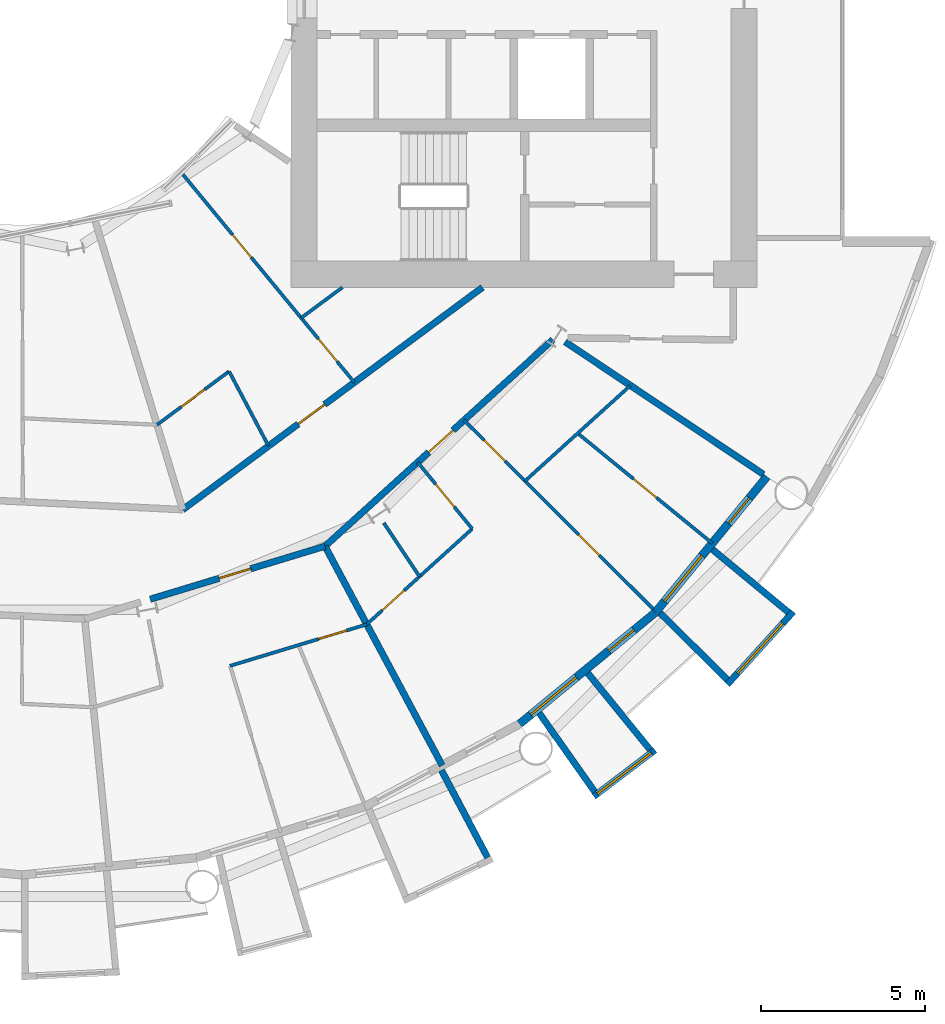
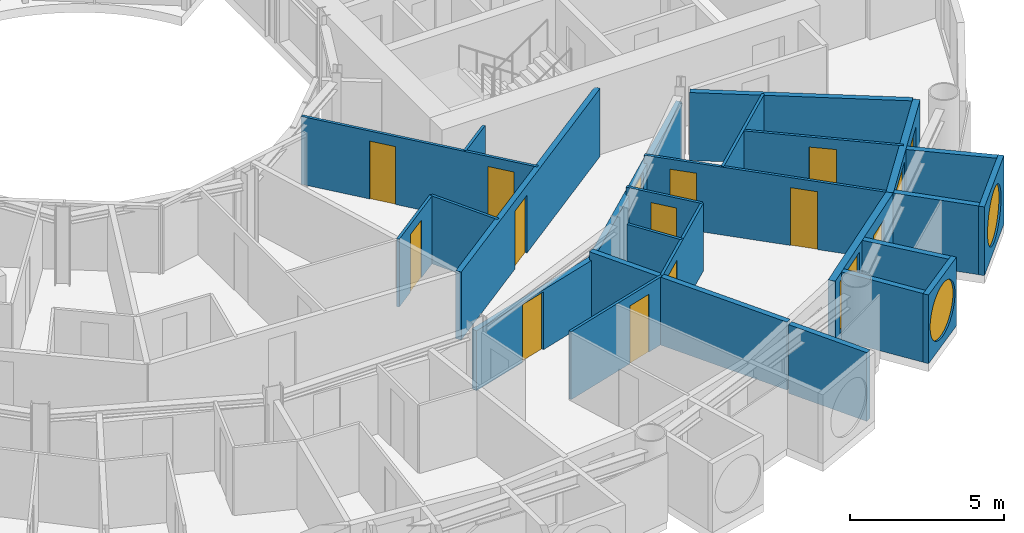
# One storey, part 16 of 25: 25 walls, 14 doors, 4 windows, 18 openings.
"""IFC4 building model written with IfcOpenShell, lengths in metres."""

from ifc_helpers import new_model, si_unit, direction, frame, frame_2d, origin, place, context, subcontext, project, spatial, rectangle, circle, extrude, material, layer, layer_set, type_object, element, fill, save


model = new_model("IFC4")

# Units and contexts
model_context = context("Model", 3, precision=1e-05, world=origin(), true_north=direction((0.0, 1.0)))
body_context = subcontext(model_context, "Body", "Model", "MODEL_VIEW")
ifc_project = project(units=[si_unit("LENGTHUNIT", "METRE"), si_unit("AREAUNIT", "SQUARE_METRE"), si_unit("VOLUMEUNIT", "CUBIC_METRE"), si_unit("PLANEANGLEUNIT", "RADIAN"), si_unit("MASSUNIT", "GRAM", prefix="KILO")], contexts=[model_context])

# Site, building, storey
site_placement = place(None, origin())
site = spatial("IfcSite", under=ifc_project, at=site_placement, CompositionType="ELEMENT")
building_placement = place(site_placement, origin())
building = spatial("IfcBuilding", under=site, at=building_placement, Name="Maasbend Ring Residences", CompositionType="ELEMENT")
storey_placement = place(building_placement, frame((0.0, 0.0, 41.10009765625)))
storey = spatial("IfcBuildingStorey", under=building, at=storey_placement, Name="L11", CompositionType="ELEMENT", Elevation=41.10009765625)

# Wall, opening, door
ifc_material_1 = material(Name="Concrete C30/37", Category="concrete")
ifc_layer_1 = layer(ifc_material_1, 0.199951171875)
ifc_layer_set_1 = layer_set([ifc_layer_1], Name="Concrete C30/37")
wall_type_1 = type_object("IfcWallType", Name="CORRIDOR WALL 200 CONCRETE", PredefinedType="PARTITIONING", material=ifc_layer_set_1)
wall_1_placement = place(storey_placement, frame((3.9150390625, -18.90087890625, 0.0), z_axis=(0.0, 0.0, 1.0), x_axis=(0.956941324682, 0.290281417103, 0.0)))
wall_1 = element("IfcWall", 1, at=wall_1_placement, inside=storey, type_object=wall_type_1, Name="U-L11-w016", PredefinedType="PARTITIONING", context=body_context, shape_type="SweptSolid", body=[
    extrude(rectangle(XDim=5.5634765625, YDim=0.199951171875, at=frame_2d((2.78173828125, 0.0))), origin(), (0.0, 0.0, 1.0), 2.3798828125),
])
opening_1_placement = place(wall_1_placement, frame((2.196044921875, 0.0, 0.0)))
opening_1 = element("IfcOpeningElement", 2, at=opening_1_placement, cuts=wall_1, Name="Opening D-1147", PredefinedType="OPENING", context=body_context, shape_type="SweptSolid", body=[
    extrude(rectangle(XDim=1.0, YDim=2.300048828125, at=frame_2d((0.5, 1.14990234375))), frame((0.0, 0.10986328125, 0.0), z_axis=(0.0, -1.0, 0.0), x_axis=(1.0, 0.0, 0.0)), (0.0, 0.0, 1.0), 0.219970703125),
])
ifc_material_2 = material(Name="Timber, fire-rated, painted", Category="wood")
door_type_1 = type_object("IfcDoorType", Name="FLAT ENTRANCE DOOR 1000 X 2300 FIRE-RATED", OperationType="NOTDEFINED", PredefinedType="DOOR", material=ifc_material_2)
door_1_placement = place(opening_1_placement, origin())
door_1 = element("IfcDoor", 3, at=door_1_placement, inside=storey, type_object=door_type_1, Name="D-1147", OperationType="SINGLE_SWING_LEFT", OverallHeight=2.300048828125, OverallWidth=1.0, PredefinedType="DOOR", context=body_context, shape_type="SweptSolid", body=[
    extrude(rectangle(XDim=1.0, YDim=2.300048828125, at=frame_2d((0.5, 1.14990234375))), frame((0.0, 0.02490234375, 0.0), z_axis=(0.0, -1.0, 0.0), x_axis=(1.0, 0.0, 0.0)), (0.0, 0.0, 1.0), 0.050048828125),
])
fill(opening_1, door_1)

wall_2_placement = place(storey_placement, frame((9.239013671875, -17.287109375, 0.0), z_axis=(0.0, 0.0, 1.0), x_axis=(0.74089212117, 0.671624050186, 0.0)))
wall_2 = element("IfcWall", 4, at=wall_2_placement, inside=storey, type_object=wall_type_1, Name="U-L11-w018", PredefinedType="PARTITIONING", context=body_context, shape_type="SweptSolid", body=[
    extrude(rectangle(XDim=9.368408203125, YDim=0.199951171875, at=frame_2d((4.68408203125, 0.0))), origin(), (0.0, 0.0, 1.0), 2.3798828125),
])
opening_2_placement = place(wall_2_placement, frame((4.262939453125, 0.0, 0.0)))
opening_2 = element("IfcOpeningElement", 5, at=opening_2_placement, cuts=wall_2, Name="Opening D-1151", PredefinedType="OPENING", context=body_context, shape_type="SweptSolid", body=[
    extrude(rectangle(XDim=1.0, YDim=2.300048828125, at=frame_2d((0.5, 1.14990234375))), frame((0.0, 0.10986328125, 0.0), z_axis=(0.0, -1.0, 0.0), x_axis=(1.0, 0.0, 0.0)), (0.0, 0.0, 1.0), 0.219970703125),
])
door_2_placement = place(opening_2_placement, origin())
door_2 = element("IfcDoor", 6, at=door_2_placement, inside=storey, type_object=door_type_1, Name="D-1151", OperationType="SINGLE_SWING_RIGHT", OverallHeight=2.300048828125, OverallWidth=1.0, PredefinedType="DOOR", context=body_context, shape_type="SweptSolid", body=[
    extrude(rectangle(XDim=1.0, YDim=2.300048828125, at=frame_2d((0.5, 1.14990234375))), frame((0.0, 0.02490234375, 0.0), z_axis=(0.0, -1.0, 0.0), x_axis=(1.0, 0.0, 0.0)), (0.0, 0.0, 1.0), 0.050048828125),
])
fill(opening_2, door_2)

wall_3_placement = place(storey_placement, frame((4.906005859375, -16.172119140625, 0.0), z_axis=(0.0, 0.0, 1.0), x_axis=(0.803202106898, 0.595706618626, 0.0)))
wall_3 = element("IfcWall", 7, at=wall_3_placement, inside=storey, type_object=wall_type_1, Name="U-L11-w021", PredefinedType="PARTITIONING", context=body_context, shape_type="SweptSolid", body=[
    extrude(rectangle(XDim=11.368408203125, YDim=0.199951171875, at=frame_2d((5.68408203125, 0.0))), origin(), (0.0, 0.0, 1.0), 2.699951171875),
])
opening_3_placement = place(wall_3_placement, frame((4.3798828125, 0.0, 0.0)))
opening_3 = element("IfcOpeningElement", 8, at=opening_3_placement, cuts=wall_3, Name="Opening D-1165", PredefinedType="OPENING", context=body_context, shape_type="SweptSolid", body=[
    extrude(rectangle(XDim=1.0, YDim=2.300048828125, at=frame_2d((0.5, 1.14990234375))), frame((0.0, 0.10986328125, 0.0), z_axis=(0.0, -1.0, 0.0), x_axis=(1.0, 0.0, 0.0)), (0.0, 0.0, 1.0), 0.219970703125),
])
door_3_placement = place(opening_3_placement, origin())
door_3 = element("IfcDoor", 9, at=door_3_placement, inside=storey, type_object=door_type_1, Name="D-1165", OperationType="SINGLE_SWING_LEFT", OverallHeight=2.300048828125, OverallWidth=1.0, PredefinedType="DOOR", context=body_context, shape_type="SweptSolid", body=[
    extrude(rectangle(XDim=1.0, YDim=2.300048828125, at=frame_2d((0.5, 1.14990234375))), frame((0.0, 0.02490234375, 0.0), z_axis=(0.0, -1.0, 0.0), x_axis=(1.0, 0.0, 0.0)), (0.0, 0.0, 1.0), 0.050048828125),
])
fill(opening_3, door_3)

# Wall
ifc_material_3 = material(Name="Pale anodised aluminium panel", Category="aluminium")
ifc_layer_2 = layer(ifc_material_3, 0.199951171875)
ifc_layer_set_2 = layer_set([ifc_layer_2], Name="EW-BOX")
wall_type_2 = type_object("IfcWallType", Name="EW-BOX", PredefinedType="SOLIDWALL", material=ifc_layer_set_2)
wall_4_placement = place(storey_placement, frame((12.787109375, -24.113037109375, -0.030029296875), z_axis=(0.0, 0.0, 1.0), x_axis=(0.468365282436, -0.883534924159, 0.0)))
element("IfcWall", 10, at=wall_4_placement, inside=storey, type_object=wall_type_2, Name="Box side wall S15 right", PredefinedType="SOLIDWALL", context=body_context, shape_type="SweptSolid", body=[
    extrude(rectangle(XDim=3.006103515625, YDim=0.199951171875, at=frame_2d((1.5029296875, 0.0))), origin(), (0.0, 0.0, 1.0), 2.72998046875),
])

# Wall, opening, window
wall_5_placement = place(storey_placement, frame((17.427001953125, -24.908935546875, -0.030029296875), z_axis=(0.0, 0.0, 1.0), x_axis=(0.796842165306, 0.60418752353, 0.0)))
wall_5 = element("IfcWall", 11, at=wall_5_placement, inside=storey, type_object=wall_type_2, Name="Box front S17", PredefinedType="SOLIDWALL", context=body_context, shape_type="SweptSolid", body=[
    extrude(rectangle(XDim=2.3369140625, YDim=0.199951171875, at=frame_2d((1.16845703125, 0.0))), origin(), (0.0, 0.0, 1.0), 2.72998046875),
])
opening_4_placement = place(wall_5_placement, frame((0.128173828125, 0.0, 0.330078125)))
opening_4 = element("IfcOpeningElement", 12, at=opening_4_placement, cuts=wall_5, Name="Opening W-RD", PredefinedType="OPENING", context=body_context, shape_type="SweptSolid", body=[
    extrude(circle(Radius=1.0400390625, at=frame_2d((1.0400390625, 1.0400390625))), frame((0.0, 0.10986328125, 0.0), z_axis=(0.0, -1.0, 0.0), x_axis=(1.0, 0.0, 0.0)), (0.0, 0.0, 1.0), 0.219970703125),
])
ifc_material_4 = material(Name="Aluminium and clear glass", Category="aluminium")
window_type_1 = type_object("IfcWindowType", Name="W-RD", PartitioningType="SINGLE_PANEL", PredefinedType="WINDOW", material=ifc_material_4)
window_1_placement = place(opening_4_placement, origin())
window_1 = element("IfcWindow", 13, at=window_1_placement, inside=storey, type_object=window_type_1, Name="Round window S17", OverallHeight=2.080078125, OverallWidth=2.080078125, PartitioningType="SINGLE_PANEL", PredefinedType="WINDOW", context=body_context, shape_type="SweptSolid", body=[
    extrude(circle(Radius=1.0400390625, at=frame_2d((1.0400390625, 1.0400390625))), frame((0.0, 0.030029296875, 0.0), z_axis=(0.0, -1.0, 0.0), x_axis=(1.0, 0.0, 0.0)), (0.0, 0.0, 1.0), 0.06005859375),
])
fill(opening_4, window_1)

# Walls
wall_6_placement = place(storey_placement, frame((15.764892578125, -22.3701171875, -0.030029296875), z_axis=(0.0, 0.0, 1.0), x_axis=(0.576274612209, -0.817256123454, 0.0)))
element("IfcWall", 14, at=wall_6_placement, inside=storey, type_object=wall_type_2, Name="Box side wall S17 left", PredefinedType="SOLIDWALL", context=body_context, shape_type="SweptSolid", body=[
    extrude(rectangle(XDim=2.932861328125, YDim=0.199951171875, at=frame_2d((1.46630859375, 0.0))), origin(), (0.0, 0.0, 1.0), 2.72998046875),
])
wall_7_placement = place(storey_placement, frame((17.24609375, -21.155029296875, -0.030029296875), z_axis=(0.0, 0.0, 1.0), x_axis=(0.631741648902, -0.775179004516, 0.0)))
element("IfcWall", 15, at=wall_7_placement, inside=storey, type_object=wall_type_2, Name="Box side wall S17 right", PredefinedType="SOLIDWALL", context=body_context, shape_type="SweptSolid", body=[
    extrude(rectangle(XDim=3.005859375, YDim=0.199951171875, at=frame_2d((1.5029296875, 0.0))), origin(), (0.0, 0.0, 1.0), 2.72998046875),
])

# Wall, opening, window
wall_8_placement = place(storey_placement, frame((21.492919921875, -21.5, -0.030029296875), z_axis=(0.0, 0.0, 1.0), x_axis=(0.671506829416, 0.740998365753, 0.0)))
wall_8 = element("IfcWall", 16, at=wall_8_placement, inside=storey, type_object=wall_type_2, Name="Box front S19", PredefinedType="SOLIDWALL", context=body_context, shape_type="SweptSolid", body=[
    extrude(rectangle(XDim=2.9931640625, YDim=0.199951171875, at=frame_2d((1.49658203125, 0.0))), origin(), (0.0, 0.0, 1.0), 2.72998046875),
])
opening_5_placement = place(wall_8_placement, frame((0.45654296875, 0.0, 0.330078125)))
opening_5 = element("IfcOpeningElement", 17, at=opening_5_placement, cuts=wall_8, Name="Opening W-RD", PredefinedType="OPENING", context=body_context, shape_type="SweptSolid", body=[
    extrude(circle(Radius=1.0400390625, at=frame_2d((1.0400390625, 1.0400390625))), frame((0.0, 0.10986328125, 0.0), z_axis=(0.0, -1.0, 0.0), x_axis=(1.0, 0.0, 0.0)), (0.0, 0.0, 1.0), 0.219970703125),
])
window_2_placement = place(opening_5_placement, origin())
window_2 = element("IfcWindow", 18, at=window_2_placement, inside=storey, type_object=window_type_1, Name="Round window S19", OverallHeight=2.080078125, OverallWidth=2.080078125, PartitioningType="SINGLE_PANEL", PredefinedType="WINDOW", context=body_context, shape_type="SweptSolid", body=[
    extrude(circle(Radius=1.0400390625, at=frame_2d((1.0400390625, 1.0400390625))), frame((0.0, 0.030029296875, 0.0), z_axis=(0.0, -1.0, 0.0), x_axis=(1.0, 0.0, 0.0)), (0.0, 0.0, 1.0), 0.06005859375),
])
fill(opening_5, window_2)

# Walls
wall_9_placement = place(storey_placement, frame((19.449951171875, -19.322998046875, -0.030029296875), z_axis=(0.0, 0.0, 1.0), x_axis=(0.709727076896, -0.704476739375, 0.0)))
element("IfcWall", 19, at=wall_9_placement, inside=storey, type_object=wall_type_2, Name="Box side wall S19 left", PredefinedType="SOLIDWALL", context=body_context, shape_type="SweptSolid", body=[
    extrude(rectangle(XDim=2.883056640625, YDim=0.199951171875, at=frame_2d((1.44140625, 0.0))), origin(), (0.0, 0.0, 1.0), 2.72998046875),
])
wall_10_placement = place(storey_placement, frame((21.041015625, -17.384033203125, -0.030029296875), z_axis=(0.0, 0.0, 1.0), x_axis=(0.770784861449, -0.63709551667, 0.0)))
element("IfcWall", 20, at=wall_10_placement, inside=storey, type_object=wall_type_2, Name="Box side wall S19 right", PredefinedType="SOLIDWALL", context=body_context, shape_type="SweptSolid", body=[
    extrude(rectangle(XDim=3.005859375, YDim=0.199951171875, at=frame_2d((1.5029296875, 0.0))), origin(), (0.0, 0.0, 1.0), 2.72998046875),
])

# Wall, openings, door, window
ifc_material_5 = material(Name="Aluminium clad insulated panel", Category="aluminium")
ifc_layer_3 = layer(ifc_material_5, 0.25)
ifc_layer_set_3 = layer_set([ifc_layer_3], Name="EW-GL")
wall_type_3 = type_object("IfcWallType", Name="EW-GL", PredefinedType="SOLIDWALL", material=ifc_layer_set_3)
wall_11_placement = place(storey_placement, frame((15.1669921875, -22.698974609375, 0.0), z_axis=(0.0, 0.0, 1.0), x_axis=(0.773019449054, 0.634382322723, 0.0)))
wall_11 = element("IfcWall", 21, at=wall_11_placement, inside=storey, type_object=wall_type_3, Name="External wall S09", PredefinedType="SOLIDWALL", context=body_context, shape_type="SweptSolid", body=[
    extrude(rectangle(XDim=5.351806640625, YDim=0.25, at=frame_2d((2.67578125, 0.0))), origin(), (0.0, 0.0, 1.0), 2.699951171875),
])
opening_6_placement = place(wall_11_placement, frame((0.441162109375, 0.0, 0.300048828125)))
opening_6 = element("IfcOpeningElement", 22, at=opening_6_placement, cuts=wall_11, Name="Opening W-BX", PredefinedType="OPENING", context=body_context, shape_type="SweptSolid", body=[
    extrude(rectangle(XDim=1.800048828125, YDim=2.10009765625, at=frame_2d((0.89990234375, 1.050048828125))), frame((0.0, 0.135009765625, 0.0), z_axis=(0.0, -1.0, 0.0), x_axis=(1.0, 0.0, 0.0)), (0.0, 0.0, 1.0), 0.27001953125),
])
opening_7_placement = place(wall_11_placement, frame((3.510498046875, 0.0, 0.0)))
opening_7 = element("IfcOpeningElement", 23, at=opening_7_placement, cuts=wall_11, Name="Opening D-LG", PredefinedType="OPENING", context=body_context, shape_type="SweptSolid", body=[
    extrude(rectangle(XDim=1.0, YDim=2.199951171875, at=frame_2d((0.5, 1.10009765625))), frame((0.0, 0.135009765625, 0.0), z_axis=(0.0, -1.0, 0.0), x_axis=(1.0, 0.0, 0.0)), (0.0, 0.0, 1.0), 0.27001953125),
])
ifc_material_6 = material(Name="Aluminium and clear glass", Category="aluminium")
door_type_2 = type_object("IfcDoorType", Name="D-LG", OperationType="SINGLE_SWING_LEFT", PredefinedType="DOOR", material=ifc_material_6)
door_4_placement = place(opening_7_placement, origin())
door_4 = element("IfcDoor", 24, at=door_4_placement, inside=storey, type_object=door_type_2, Name="Loggia door S18", OperationType="SINGLE_SWING_LEFT", OverallHeight=2.199951171875, OverallWidth=1.0, PredefinedType="DOOR", context=body_context, shape_type="SweptSolid", body=[
    extrude(rectangle(XDim=1.0, YDim=2.199951171875, at=frame_2d((0.5, 1.10009765625))), frame((0.0, 0.02490234375, 0.0), z_axis=(0.0, -1.0, 0.0), x_axis=(1.0, 0.0, 0.0)), (0.0, 0.0, 1.0), 0.050048828125),
])
fill(opening_7, door_4)
ifc_material_7 = material(Name="Aluminium and clear glass", Category="aluminium")
window_type_2 = type_object("IfcWindowType", Name="W-BX", PartitioningType="DOUBLE_PANEL_VERTICAL", PredefinedType="WINDOW", material=ifc_material_7)
window_3_placement = place(opening_6_placement, origin())
window_3 = element("IfcWindow", 25, at=window_3_placement, inside=storey, type_object=window_type_2, Name="Window S17 room to box", OverallHeight=2.10009765625, OverallWidth=1.800048828125, PartitioningType="SINGLE_PANEL", PredefinedType="WINDOW", context=body_context, shape_type="SweptSolid", body=[
    extrude(rectangle(XDim=1.800048828125, YDim=2.10009765625, at=frame_2d((0.89990234375, 1.050048828125))), frame((0.0, 0.030029296875, 0.0), z_axis=(0.0, -1.0, 0.0), x_axis=(1.0, 0.0, 0.0)), (0.0, 0.0, 1.0), 0.06005859375),
])
fill(opening_6, window_3)

wall_12_placement = place(storey_placement, frame((19.303955078125, -19.303955078125, 0.0), z_axis=(0.0, 0.0, 1.0), x_axis=(0.634382322723, 0.773019449054, 0.0)))
wall_12 = element("IfcWall", 26, at=wall_12_placement, inside=storey, type_object=wall_type_3, Name="External wall S10", PredefinedType="SOLIDWALL", context=body_context, shape_type="SweptSolid", body=[
    extrude(rectangle(XDim=5.351806640625, YDim=0.25, at=frame_2d((2.67578125, 0.0))), origin(), (0.0, 0.0, 1.0), 2.699951171875),
])
opening_8_placement = place(wall_12_placement, frame((0.441162109375, 0.0, 0.300048828125)))
opening_8 = element("IfcOpeningElement", 27, at=opening_8_placement, cuts=wall_12, Name="Opening W-BX", PredefinedType="OPENING", context=body_context, shape_type="SweptSolid", body=[
    extrude(rectangle(XDim=1.800048828125, YDim=2.10009765625, at=frame_2d((0.89990234375, 1.050048828125))), frame((0.0, 0.135009765625, 0.0), z_axis=(0.0, -1.0, 0.0), x_axis=(1.0, 0.0, 0.0)), (0.0, 0.0, 1.0), 0.27001953125),
])
opening_9_placement = place(wall_12_placement, frame((3.510498046875, 0.0, 0.0)))
opening_9 = element("IfcOpeningElement", 28, at=opening_9_placement, cuts=wall_12, Name="Opening D-LG", PredefinedType="OPENING", context=body_context, shape_type="SweptSolid", body=[
    extrude(rectangle(XDim=1.0, YDim=2.199951171875, at=frame_2d((0.5, 1.10009765625))), frame((0.0, 0.135009765625, 0.0), z_axis=(0.0, -1.0, 0.0), x_axis=(1.0, 0.0, 0.0)), (0.0, 0.0, 1.0), 0.27001953125),
])
door_5_placement = place(opening_9_placement, origin())
door_5 = element("IfcDoor", 29, at=door_5_placement, inside=storey, type_object=door_type_2, Name="Loggia door S20", OperationType="SINGLE_SWING_LEFT", OverallHeight=2.199951171875, OverallWidth=1.0, PredefinedType="DOOR", context=body_context, shape_type="SweptSolid", body=[
    extrude(rectangle(XDim=1.0, YDim=2.199951171875, at=frame_2d((0.5, 1.10009765625))), frame((0.0, 0.02490234375, 0.0), z_axis=(0.0, -1.0, 0.0), x_axis=(1.0, 0.0, 0.0)), (0.0, 0.0, 1.0), 0.050048828125),
])
fill(opening_9, door_5)
window_4_placement = place(opening_8_placement, origin())
window_4 = element("IfcWindow", 30, at=window_4_placement, inside=storey, type_object=window_type_2, Name="Window S19 room to box", OverallHeight=2.10009765625, OverallWidth=1.800048828125, PartitioningType="SINGLE_PANEL", PredefinedType="WINDOW", context=body_context, shape_type="SweptSolid", body=[
    extrude(rectangle(XDim=1.800048828125, YDim=2.10009765625, at=frame_2d((0.89990234375, 1.050048828125))), frame((0.0, 0.030029296875, 0.0), z_axis=(0.0, -1.0, 0.0), x_axis=(1.0, 0.0, 0.0)), (0.0, 0.0, 1.0), 0.06005859375),
])
fill(opening_8, window_4)

# Wall, opening, door
ifc_material_8 = material(Name="Gypsum board on steel studs", Category="steel")
ifc_layer_4 = layer(ifc_material_8, 0.10009765625)
ifc_layer_set_4 = layer_set([ifc_layer_4], Name="PARTITION 100 GYPSUM")
wall_type_4 = type_object("IfcWallType", Name="PARTITION 100 GYPSUM", PredefinedType="PARTITIONING", material=ifc_layer_set_4)
wall_13_placement = place(storey_placement, frame((6.345947265625, -20.930908203125, 0.0), z_axis=(0.0, 0.0, 1.0), x_axis=(0.956923957423, 0.290338663821, 0.0)))
wall_13 = element("IfcWall", 31, at=wall_13_placement, inside=storey, type_object=wall_type_4, Name="U-L11-w006", PredefinedType="PARTITIONING", context=body_context, shape_type="SweptSolid", body=[
    extrude(rectangle(XDim=4.356689453125, YDim=0.10009765625, at=frame_2d((2.17822265625, 0.0))), origin(), (0.0, 0.0, 1.0), 2.699951171875),
])
opening_10_placement = place(wall_13_placement, frame((2.818115234375, 0.0, 0.0)))
opening_10 = element("IfcOpeningElement", 32, at=opening_10_placement, cuts=wall_13, Name="Opening D-1150", PredefinedType="OPENING", context=body_context, shape_type="SweptSolid", body=[
    extrude(rectangle(XDim=0.89990234375, YDim=2.300048828125, at=frame_2d((0.449951171875, 1.14990234375))), frame((0.0, 0.06005859375, 0.0), z_axis=(0.0, -1.0, 0.0), x_axis=(1.0, 0.0, 0.0)), (0.0, 0.0, 1.0), 0.1201171875),
])
ifc_material_9 = material(Name="Timber, painted", Category="wood")
door_type_3 = type_object("IfcDoorType", Name="INTERNAL DOOR 900 X 2300", OperationType="NOTDEFINED", PredefinedType="DOOR", material=ifc_material_9)
door_6_placement = place(opening_10_placement, origin())
door_6 = element("IfcDoor", 33, at=door_6_placement, inside=storey, type_object=door_type_3, Name="D-1150", OperationType="SINGLE_SWING_RIGHT", OverallHeight=2.300048828125, OverallWidth=0.89990234375, PredefinedType="DOOR", context=body_context, shape_type="SweptSolid", body=[
    extrude(rectangle(XDim=0.89990234375, YDim=2.300048828125, at=frame_2d((0.449951171875, 1.14990234375))), frame((0.0, 0.02490234375, 0.0), z_axis=(0.0, -1.0, 0.0), x_axis=(1.0, 0.0, 0.0)), (0.0, 0.0, 1.0), 0.050048828125),
])
fill(opening_10, door_6)

wall_14_placement = place(storey_placement, frame((10.506103515625, -19.6708984375, 0.0), z_axis=(0.0, 0.0, 1.0), x_axis=(0.741162670015, 0.671325477377, 0.0)))
wall_14 = element("IfcWall", 34, at=wall_14_placement, inside=storey, type_object=wall_type_4, Name="U-L11-w011", PredefinedType="PARTITIONING", context=body_context, shape_type="SweptSolid", body=[
    extrude(rectangle(XDim=4.341796875, YDim=0.10009765625, at=frame_2d((2.1708984375, 0.0))), origin(), (0.0, 0.0, 1.0), 2.699951171875),
])
opening_11_placement = place(wall_14_placement, frame((0.64306640625, 0.0, 0.0)))
opening_11 = element("IfcOpeningElement", 35, at=opening_11_placement, cuts=wall_14, Name="Opening D-1152", PredefinedType="OPENING", context=body_context, shape_type="SweptSolid", body=[
    extrude(rectangle(XDim=0.89990234375, YDim=2.300048828125, at=frame_2d((0.449951171875, 1.14990234375))), frame((0.0, 0.06005859375, 0.0), z_axis=(0.0, -1.0, 0.0), x_axis=(1.0, 0.0, 0.0)), (0.0, 0.0, 1.0), 0.1201171875),
])
door_7_placement = place(opening_11_placement, origin())
door_7 = element("IfcDoor", 36, at=door_7_placement, inside=storey, type_object=door_type_3, Name="D-1152", OperationType="SINGLE_SWING_LEFT", OverallHeight=2.300048828125, OverallWidth=0.89990234375, PredefinedType="DOOR", context=body_context, shape_type="SweptSolid", body=[
    extrude(rectangle(XDim=0.89990234375, YDim=2.300048828125, at=frame_2d((0.449951171875, 1.14990234375))), frame((0.0, 0.02490234375, 0.0), z_axis=(0.0, -1.0, 0.0), x_axis=(1.0, 0.0, 0.0)), (0.0, 0.0, 1.0), 0.050048828125),
])
fill(opening_11, door_7)

# Wall
wall_15_placement = place(storey_placement, frame((15.330078125, -15.301025390625, 0.0), z_axis=(0.0, 0.0, 1.0), x_axis=(0.741109646243, 0.671384012504, 0.0)))
element("IfcWall", 37, at=wall_15_placement, inside=storey, type_object=wall_type_4, Name="U-L11-w012", PredefinedType="PARTITIONING", context=body_context, shape_type="SweptSolid", body=[
    extrude(rectangle(XDim=4.331298828125, YDim=0.10009765625, at=frame_2d((2.16552734375, 0.0))), origin(), (0.0, 0.0, 1.0), 2.699951171875),
])

# Wall, opening, door
wall_16_placement = place(storey_placement, frame((4.118896484375, -13.590087890625, 0.0), z_axis=(0.0, 0.0, 1.0), x_axis=(0.803128348509, 0.595806055542, 0.0)))
wall_16 = element("IfcWall", 38, at=wall_16_placement, inside=storey, type_object=wall_type_4, Name="U-L11-w026", PredefinedType="PARTITIONING", context=body_context, shape_type="SweptSolid", body=[
    extrude(rectangle(XDim=2.734375, YDim=0.10009765625, at=frame_2d((1.3671875, 0.0))), origin(), (0.0, 0.0, 1.0), 2.699951171875),
])
opening_12_placement = place(wall_16_placement, frame((0.919921875, 0.0, 0.0)))
opening_12 = element("IfcOpeningElement", 39, at=opening_12_placement, cuts=wall_16, Name="Opening D-1166", PredefinedType="OPENING", context=body_context, shape_type="SweptSolid", body=[
    extrude(rectangle(XDim=0.89990234375, YDim=2.300048828125, at=frame_2d((0.449951171875, 1.14990234375))), frame((0.0, 0.06005859375, 0.0), z_axis=(0.0, -1.0, 0.0), x_axis=(1.0, 0.0, 0.0)), (0.0, 0.0, 1.0), 0.1201171875),
])
door_8_placement = place(opening_12_placement, origin())
door_8 = element("IfcDoor", 40, at=door_8_placement, inside=storey, type_object=door_type_3, Name="D-1166", OperationType="SINGLE_SWING_RIGHT", OverallHeight=2.300048828125, OverallWidth=0.89990234375, PredefinedType="DOOR", context=body_context, shape_type="SweptSolid", body=[
    extrude(rectangle(XDim=0.89990234375, YDim=2.300048828125, at=frame_2d((0.449951171875, 1.14990234375))), frame((0.0, 0.02490234375, 0.0), z_axis=(0.0, -1.0, 0.0), x_axis=(1.0, 0.0, 0.0)), (0.0, 0.0, 1.0), 0.050048828125),
])
fill(opening_12, door_8)

# Wall
wall_17_placement = place(storey_placement, frame((8.512939453125, -10.33203125, 0.0), z_axis=(0.0, 0.0, 1.0), x_axis=(0.803264156882, 0.595622946392, 0.0)))
element("IfcWall", 41, at=wall_17_placement, inside=storey, type_object=wall_type_4, Name="U-L11-w027", PredefinedType="PARTITIONING", context=body_context, shape_type="SweptSolid", body=[
    extrude(rectangle(XDim=1.56494140625, YDim=0.10009765625, at=frame_2d((0.782470703125, 0.0))), origin(), (0.0, 0.0, 1.0), 2.699951171875),
])

# Wall, openings, doors
wall_18_placement = place(storey_placement, frame((4.907958984375, -5.958984375, 0.0), z_axis=(0.0, 0.0, 1.0), x_axis=(0.636105207978, -0.771602335652, 0.0)))
wall_18 = element("IfcWall", 42, at=wall_18_placement, inside=storey, type_object=wall_type_4, Name="U-L11-w072", PredefinedType="PARTITIONING", context=body_context, shape_type="SweptSolid", body=[
    extrude(rectangle(XDim=8.212646484375, YDim=0.10009765625, at=frame_2d((4.1064453125, 0.0))), origin(), (0.0, 0.0, 1.0), 2.699951171875),
])
opening_13_placement = place(wall_18_placement, frame((6.489990234375, 0.0, 0.0)))
opening_13 = element("IfcOpeningElement", 43, at=opening_13_placement, cuts=wall_18, Name="Opening D-1167", PredefinedType="OPENING", context=body_context, shape_type="SweptSolid", body=[
    extrude(rectangle(XDim=0.89990234375, YDim=2.300048828125, at=frame_2d((0.449951171875, 1.14990234375))), frame((0.0, 0.06005859375, 0.0), z_axis=(0.0, -1.0, 0.0), x_axis=(1.0, 0.0, 0.0)), (0.0, 0.0, 1.0), 0.1201171875),
])
opening_14_placement = place(wall_18_placement, frame((2.384033203125, 0.0, 0.0)))
opening_14 = element("IfcOpeningElement", 44, at=opening_14_placement, cuts=wall_18, Name="Opening D-1168", PredefinedType="OPENING", context=body_context, shape_type="SweptSolid", body=[
    extrude(rectangle(XDim=0.89990234375, YDim=2.300048828125, at=frame_2d((0.449951171875, 1.14990234375))), frame((0.0, 0.06005859375, 0.0), z_axis=(0.0, -1.0, 0.0), x_axis=(1.0, 0.0, 0.0)), (0.0, 0.0, 1.0), 0.1201171875),
])
door_9_placement = place(opening_13_placement, origin())
door_9 = element("IfcDoor", 45, at=door_9_placement, inside=storey, type_object=door_type_3, Name="D-1167", OperationType="SINGLE_SWING_RIGHT", OverallHeight=2.300048828125, OverallWidth=0.89990234375, PredefinedType="DOOR", context=body_context, shape_type="SweptSolid", body=[
    extrude(rectangle(XDim=0.89990234375, YDim=2.300048828125, at=frame_2d((0.449951171875, 1.14990234375))), frame((0.0, 0.02490234375, 0.0), z_axis=(0.0, -1.0, 0.0), x_axis=(1.0, 0.0, 0.0)), (0.0, 0.0, 1.0), 0.050048828125),
])
fill(opening_13, door_9)
door_10_placement = place(opening_14_placement, origin())
door_10 = element("IfcDoor", 46, at=door_10_placement, inside=storey, type_object=door_type_3, Name="D-1168", OperationType="SINGLE_SWING_LEFT", OverallHeight=2.300048828125, OverallWidth=0.89990234375, PredefinedType="DOOR", context=body_context, shape_type="SweptSolid", body=[
    extrude(rectangle(XDim=0.89990234375, YDim=2.300048828125, at=frame_2d((0.449951171875, 1.14990234375))), frame((0.0, 0.02490234375, 0.0), z_axis=(0.0, -1.0, 0.0), x_axis=(1.0, 0.0, 0.0)), (0.0, 0.0, 1.0), 0.050048828125),
])
fill(opening_14, door_10)

# Walls
wall_19_placement = place(storey_placement, frame((6.318115234375, -11.9599609375, 0.0), z_axis=(0.0, 0.0, 1.0), x_axis=(0.467001992543, -0.884256263173, 0.0)))
element("IfcWall", 47, at=wall_19_placement, inside=storey, type_object=wall_type_4, Name="U-L11-w075", PredefinedType="PARTITIONING", context=body_context, shape_type="SweptSolid", body=[
    extrude(rectangle(XDim=2.571533203125, YDim=0.10009765625, at=frame_2d((1.28564453125, 0.0))), origin(), (0.0, 0.0, 1.0), 2.699951171875),
])
wall_20_placement = place(storey_placement, frame((11.030029296875, -16.575927734375, 0.0), z_axis=(0.0, 0.0, 1.0), x_axis=(0.553954074672, -0.83254722578, 0.0)))
element("IfcWall", 48, at=wall_20_placement, inside=storey, type_object=wall_type_4, Name="U-L11-w082", PredefinedType="PARTITIONING", context=body_context, shape_type="SweptSolid", body=[
    extrude(rectangle(XDim=1.9638671875, YDim=0.10009765625, at=frame_2d((0.98193359375, 0.0))), origin(), (0.0, 0.0, 1.0), 2.699951171875),
])

# Wall, opening, door
wall_21_placement = place(storey_placement, frame((12.06201171875, -14.72705078125, 0.0), z_axis=(0.0, 0.0, 1.0), x_axis=(0.633688798249, -0.773588073185, 0.0)))
wall_21 = element("IfcWall", 49, at=wall_21_placement, inside=storey, type_object=wall_type_4, Name="U-L11-w084", PredefinedType="PARTITIONING", context=body_context, shape_type="SweptSolid", body=[
    extrude(rectangle(XDim=2.622802734375, YDim=0.10009765625, at=frame_2d((1.3115234375, 0.0))), origin(), (0.0, 0.0, 1.0), 2.699951171875),
])
opening_15_placement = place(wall_21_placement, frame((0.861083984375, 0.0, 0.0)))
opening_15 = element("IfcOpeningElement", 50, at=opening_15_placement, cuts=wall_21, Name="Opening D-1153", PredefinedType="OPENING", context=body_context, shape_type="SweptSolid", body=[
    extrude(rectangle(XDim=0.89990234375, YDim=2.300048828125, at=frame_2d((0.449951171875, 1.14990234375))), frame((0.0, 0.06005859375, 0.0), z_axis=(0.0, -1.0, 0.0), x_axis=(1.0, 0.0, 0.0)), (0.0, 0.0, 1.0), 0.1201171875),
])
door_11_placement = place(opening_15_placement, origin())
door_11 = element("IfcDoor", 51, at=door_11_placement, inside=storey, type_object=door_type_3, Name="D-1153", OperationType="SINGLE_SWING_LEFT", OverallHeight=2.300048828125, OverallWidth=0.89990234375, PredefinedType="DOOR", context=body_context, shape_type="SweptSolid", body=[
    extrude(rectangle(XDim=0.89990234375, YDim=2.300048828125, at=frame_2d((0.449951171875, 1.14990234375))), frame((0.0, 0.02490234375, 0.0), z_axis=(0.0, -1.0, 0.0), x_axis=(1.0, 0.0, 0.0)), (0.0, 0.0, 1.0), 0.050048828125),
])
fill(opening_15, door_11)

# Wall, openings, doors
wall_22_placement = place(storey_placement, frame((13.47412109375, -13.447998046875, 0.0), z_axis=(0.0, 0.0, 1.0), x_axis=(0.707901324545, -0.706311344031, 0.0)))
wall_22 = element("IfcWall", 52, at=wall_22_placement, inside=storey, type_object=wall_type_4, Name="U-L11-w086", PredefinedType="PARTITIONING", context=body_context, shape_type="SweptSolid", body=[
    extrude(rectangle(XDim=8.13818359375, YDim=0.10009765625, at=frame_2d((4.069091796875, 0.0))), origin(), (0.0, 0.0, 1.0), 2.699951171875),
])
opening_16_placement = place(wall_22_placement, frame((0.861083984375, 0.0, 0.0)))
opening_16 = element("IfcOpeningElement", 53, at=opening_16_placement, cuts=wall_22, Name="Opening D-1154", PredefinedType="OPENING", context=body_context, shape_type="SweptSolid", body=[
    extrude(rectangle(XDim=0.89990234375, YDim=2.300048828125, at=frame_2d((0.449951171875, 1.14990234375))), frame((0.0, 0.06005859375, 0.0), z_axis=(0.0, -1.0, 0.0), x_axis=(1.0, 0.0, 0.0)), (0.0, 0.0, 1.0), 0.1201171875),
])
opening_17_placement = place(wall_22_placement, frame((4.930908203125, 0.0, 0.0)))
opening_17 = element("IfcOpeningElement", 54, at=opening_17_placement, cuts=wall_22, Name="Opening D-1155", PredefinedType="OPENING", context=body_context, shape_type="SweptSolid", body=[
    extrude(rectangle(XDim=0.89990234375, YDim=2.300048828125, at=frame_2d((0.449951171875, 1.14990234375))), frame((0.0, 0.06005859375, 0.0), z_axis=(0.0, -1.0, 0.0), x_axis=(1.0, 0.0, 0.0)), (0.0, 0.0, 1.0), 0.1201171875),
])
door_12_placement = place(opening_16_placement, origin())
door_12 = element("IfcDoor", 55, at=door_12_placement, inside=storey, type_object=door_type_3, Name="D-1154", OperationType="SINGLE_SWING_LEFT", OverallHeight=2.300048828125, OverallWidth=0.89990234375, PredefinedType="DOOR", context=body_context, shape_type="SweptSolid", body=[
    extrude(rectangle(XDim=0.89990234375, YDim=2.300048828125, at=frame_2d((0.449951171875, 1.14990234375))), frame((0.0, 0.02490234375, 0.0), z_axis=(0.0, -1.0, 0.0), x_axis=(1.0, 0.0, 0.0)), (0.0, 0.0, 1.0), 0.050048828125),
])
fill(opening_16, door_12)
door_13_placement = place(opening_17_placement, origin())
door_13 = element("IfcDoor", 56, at=door_13_placement, inside=storey, type_object=door_type_3, Name="D-1155", OperationType="SINGLE_SWING_RIGHT", OverallHeight=2.300048828125, OverallWidth=0.89990234375, PredefinedType="DOOR", context=body_context, shape_type="SweptSolid", body=[
    extrude(rectangle(XDim=0.89990234375, YDim=2.300048828125, at=frame_2d((0.449951171875, 1.14990234375))), frame((0.0, 0.02490234375, 0.0), z_axis=(0.0, -1.0, 0.0), x_axis=(1.0, 0.0, 0.0)), (0.0, 0.0, 1.0), 0.050048828125),
])
fill(opening_17, door_13)

# Wall, opening, door
wall_23_placement = place(storey_placement, frame((16.93603515625, -13.844970703125, 0.0), z_axis=(0.0, 0.0, 1.0), x_axis=(0.774310172558, -0.632806255241, 0.0)))
wall_23 = element("IfcWall", 57, at=wall_23_placement, inside=storey, type_object=wall_type_4, Name="U-L11-w089", PredefinedType="PARTITIONING", context=body_context, shape_type="SweptSolid", body=[
    extrude(rectangle(XDim=5.30029296875, YDim=0.10009765625, at=frame_2d((2.650146484375, 0.0))), origin(), (0.0, 0.0, 1.0), 2.699951171875),
])
opening_18_placement = place(wall_23_placement, frame((2.199951171875, 0.0, 0.0)))
opening_18 = element("IfcOpeningElement", 58, at=opening_18_placement, cuts=wall_23, Name="Opening D-1156", PredefinedType="OPENING", context=body_context, shape_type="SweptSolid", body=[
    extrude(rectangle(XDim=0.89990234375, YDim=2.300048828125, at=frame_2d((0.449951171875, 1.14990234375))), frame((0.0, 0.06005859375, 0.0), z_axis=(0.0, -1.0, 0.0), x_axis=(1.0, 0.0, 0.0)), (0.0, 0.0, 1.0), 0.1201171875),
])
door_14_placement = place(opening_18_placement, origin())
door_14 = element("IfcDoor", 59, at=door_14_placement, inside=storey, type_object=door_type_3, Name="D-1156", OperationType="SINGLE_SWING_LEFT", OverallHeight=2.300048828125, OverallWidth=0.89990234375, PredefinedType="DOOR", context=body_context, shape_type="SweptSolid", body=[
    extrude(rectangle(XDim=0.89990234375, YDim=2.300048828125, at=frame_2d((0.449951171875, 1.14990234375))), frame((0.0, 0.02490234375, 0.0), z_axis=(0.0, -1.0, 0.0), x_axis=(1.0, 0.0, 0.0)), (0.0, 0.0, 1.0), 0.050048828125),
])
fill(opening_18, door_14)

# Walls
ifc_material_10 = material(Name="Concrete C30/37", Category="concrete")
ifc_layer_5 = layer(ifc_material_10, 0.199951171875)
ifc_layer_set_5 = layer_set([ifc_layer_5], Name="Concrete C30/37")
wall_type_5 = type_object("IfcWallType", Name="PARTY WALL 200 CONCRETE", PredefinedType="PARTITIONING", material=ifc_layer_set_5)
wall_24_placement = place(storey_placement, frame((9.239013671875, -17.285888671875, 0.0), z_axis=(0.0, 0.0, 1.0), x_axis=(0.471439510802, -0.881898399848, 0.0)))
element("IfcWall", 60, at=wall_24_placement, inside=storey, type_object=wall_type_5, Name="U-L11-w081", PredefinedType="PARTITIONING", context=body_context, shape_type="SweptSolid", body=[
    extrude(rectangle(XDim=7.57470703125, YDim=0.199951171875, at=frame_2d((3.787353515625, 0.0))), origin(), (0.0, 0.0, 1.0), 2.699951171875),
])
wall_25_placement = place(storey_placement, frame((16.554931640625, -11.06103515625, 0.0), z_axis=(0.0, 0.0, 1.0), x_axis=(0.831507055747, -0.555514190857, 0.0)))
element("IfcWall", 61, at=wall_25_placement, inside=storey, type_object=wall_type_5, Name="U-L11-w088", PredefinedType="PARTITIONING", context=body_context, shape_type="SweptSolid", body=[
    extrude(rectangle(XDim=7.26513671875, YDim=0.199951171875, at=frame_2d((3.632568359375, 0.0))), origin(), (0.0, 0.0, 1.0), 2.699951171875),
])

save(model, "model.ifc")
